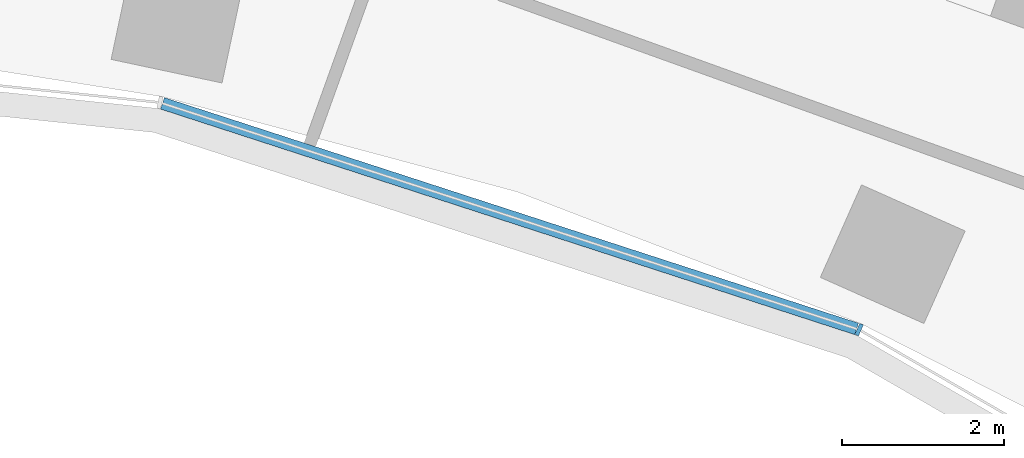
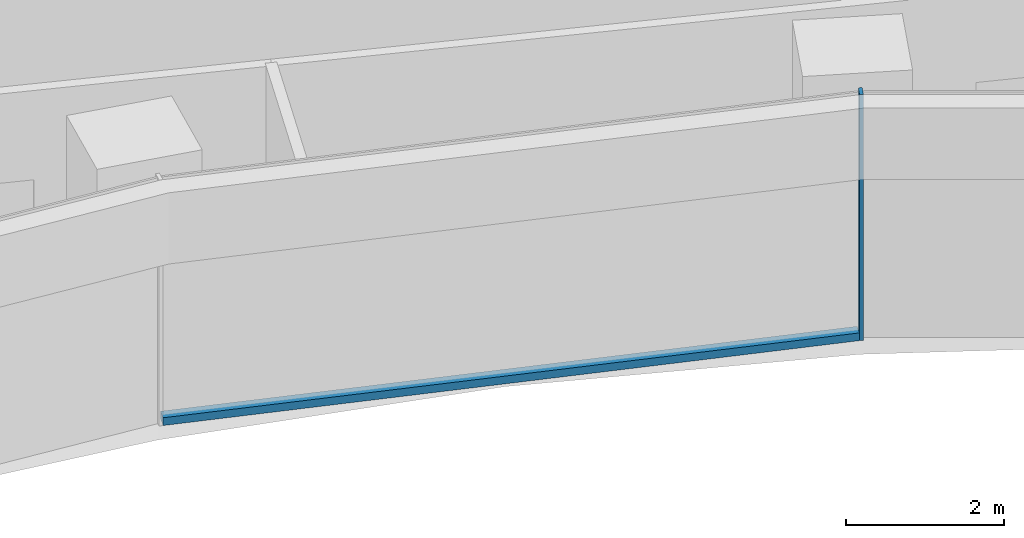
# One storey, part 9 of 21: 2 members, 1 element without a shape of its own.
"""IFC4 building model written with IfcOpenShell, lengths in metres."""

from ifc_helpers import new_model, si_unit, direction, frame, origin, origin_2d, place, context, subcontext, project, spatial, rectangle, extrude, material, layer, layer_set, material_profile, profile_set, type_object, element, aggregate, save


model = new_model("IFC4")

# Units and contexts
model_context = context("Model", 3, precision=1e-05, world=origin(), true_north=direction((0.0, 1.0)))
body_context = subcontext(model_context, "Body", "Model", "MODEL_VIEW")
ifc_project = project(units=[si_unit("LENGTHUNIT", "METRE"), si_unit("AREAUNIT", "SQUARE_METRE"), si_unit("VOLUMEUNIT", "CUBIC_METRE"), si_unit("PLANEANGLEUNIT", "RADIAN"), si_unit("MASSUNIT", "GRAM", prefix="KILO")], contexts=[model_context])

# Site, building, storey
site_placement = place(None, origin())
site = spatial("IfcSite", under=ifc_project, at=site_placement, CompositionType="ELEMENT")
building_placement = place(site_placement, origin())
building = spatial("IfcBuilding", under=site, at=building_placement, Name="Stone Belt Terrace Tower", CompositionType="ELEMENT")
storey_placement = place(building_placement, frame((0.0, 0.0, 68.0)))
storey = spatial("IfcBuildingStorey", under=building, at=storey_placement, Name="L16", CompositionType="ELEMENT", Elevation=68.0)

# Curtain wall, members
ifc_material = material(Name="Aluminium 6063-T6 anodised frame", Category="aluminium")
ifc_layer = layer(ifc_material, 0.14990234375)
ifc_layer_set = layer_set([ifc_layer], Name="CW-B unitised concave-face curtain wall")
curtain_wall_type = type_object("IfcCurtainWallType", Name="CW-B unitised concave-face curtain wall", PredefinedType="NOTDEFINED", material=ifc_layer_set)
curtain_wall_placement = place(storey_placement, origin())
curtain_wall = element("IfcCurtainWall", 1, at=curtain_wall_placement, inside=storey, type_object=curtain_wall_type, Name="CW-B concave face L16", PredefinedType="NOTDEFINED")
ifc_material_profile_1 = material_profile(ifc_material, rectangle(XDim=0.14990234375, YDim=0.050048828125, at=origin_2d()), Name="Aluminium 6063-T6 50x150")
ifc_profile_set_1 = profile_set([ifc_material_profile_1], Name="Aluminium 6063-T6 anodised frame")
member_type_1 = type_object("IfcMemberType", Name="CW-B mullion 50 x 150", PredefinedType="MULLION", material=ifc_profile_set_1)
member_1_placement = place(storey_placement, frame((17.662353515625, 39.67041015625, 0.0), z_axis=(0.0, 0.0, 1.0), x_axis=(0.406736643076, 0.913545457643, 0.0)))
member_1 = element("IfcMember", 2, at=member_1_placement, type_object=member_type_1, Name="CW-B mullion 8", PredefinedType="MULLION", context=body_context, shape_type="SweptSolid", body=[
    extrude(rectangle(XDim=0.14990234375, YDim=0.050048828125, at=origin_2d()), origin(), (0.0, 0.0, 1.0), 3.800048828125),
])
ifc_material_profile_2 = material_profile(ifc_material, rectangle(XDim=0.14990234375, YDim=0.1201171875, at=origin_2d()), Name="Aluminium 6063-T6 150x120")
ifc_profile_set_2 = profile_set([ifc_material_profile_2], Name="Aluminium 6063-T6 anodised frame")
member_type_2 = type_object("IfcMemberType", Name="CW-B transom 120 x 150", PredefinedType="USERDEFINED", material=ifc_profile_set_2)
member_2_placement = place(storey_placement, frame((9.0595703125, 42.465576171875, 0.06005859375), z_axis=(0.951055963285, -0.309018696359, 0.0), x_axis=(0.309018696359, 0.951055963285, 0.0)))
member_2 = element("IfcMember", 3, at=member_2_placement, type_object=member_type_2, Name="CW-B transom 7.1", ObjectType="TRANSOM", PredefinedType="USERDEFINED", context=body_context, shape_type="SweptSolid", body=[
    extrude(rectangle(XDim=0.14990234375, YDim=0.1201171875, at=origin_2d()), origin(), (0.0, 0.0, 1.0), 9.012939453125),
])
aggregate(curtain_wall, [member_1, member_2])

save(model, "model.ifc")
